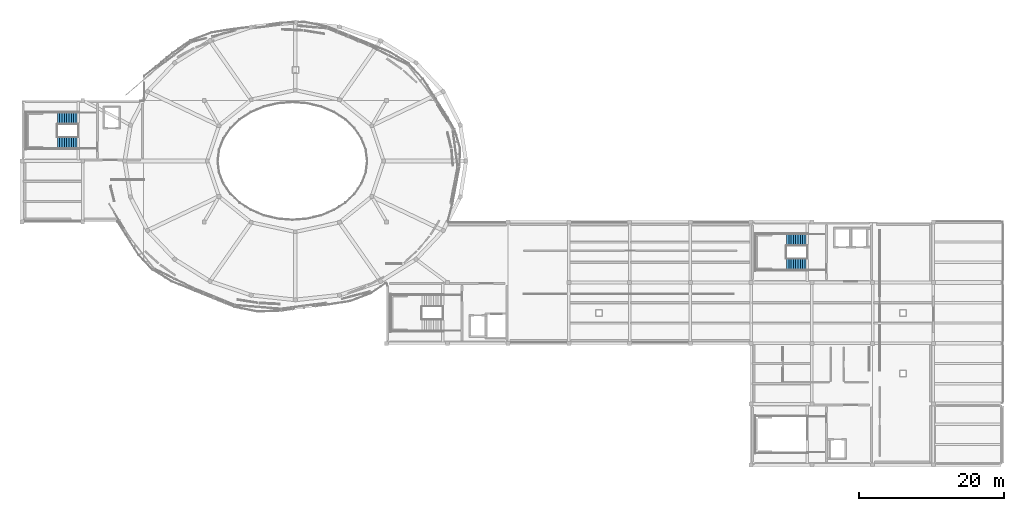
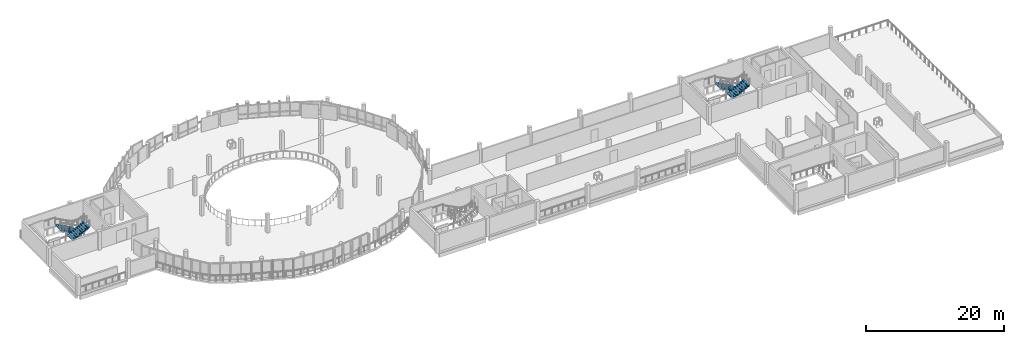
# One storey, part 34 of 43: 4 stair flights, 2 elements without a shape of their own.
"""IFC4 building model written with IfcOpenShell, lengths in metres."""

from ifc_helpers import new_model, si_unit, derived_unit, direction, frame, origin, place, context, subcontext, project, spatial, polyline, outline, extrude, material, type_object, element, aggregate, save


model = new_model("IFC4")

# Units and contexts
model_context = context("Model", 3, precision=1e-05, world=origin(), true_north=direction((0.0, 1.0)))
body_context = subcontext(model_context, "Body", "Model", "MODEL_VIEW")
ifc_project = project(units=[si_unit("LENGTHUNIT", "METRE"), si_unit("AREAUNIT", "SQUARE_METRE"), si_unit("VOLUMEUNIT", "CUBIC_METRE"), si_unit("PLANEANGLEUNIT", "RADIAN"), si_unit("MASSUNIT", "GRAM", prefix="KILO"), derived_unit("THERMALTRANSMITTANCEUNIT", [(si_unit("POWERUNIT", "WATT"), 1), (si_unit("LENGTHUNIT", "METRE"), -2), (si_unit("THERMODYNAMICTEMPERATUREUNIT", "KELVIN"), -1)])], contexts=[model_context])

# Site, building, storey
site_placement = place(None, origin())
site = spatial("IfcSite", under=ifc_project, at=site_placement, CompositionType="ELEMENT")
building_placement = place(site_placement, origin())
building = spatial("IfcBuilding", under=site, at=building_placement, Name="Elbkamm Science Centre", CompositionType="ELEMENT")
storey_placement = place(building_placement, frame((0.0, 0.0, 18.300048828125)))
storey = spatial("IfcBuildingStorey", under=building, at=storey_placement, Name="L04", CompositionType="ELEMENT", Elevation=18.300048828125)

# Stair, stair flights
ifc_material = material(Name="Reinforced concrete C40/50", Category="concrete")
stair_type = type_object("IfcStairType", Name="ST-TWO-20R-165", PredefinedType="USERDEFINED", material=ifc_material)
stair_1_placement = place(storey_placement, origin())
stair_1 = element("IfcStair", 1, at=stair_1_placement, inside=storey, type_object=stair_type, Name="L04 Core C1 Northwest Planetarium and Exhibition Core Escape Stair", ObjectType="TWO_RETURN_STAIR", PredefinedType="USERDEFINED")
stair_flight_type = type_object("IfcStairFlightType", Name="FLT-10R-165MM-165", PredefinedType="STRAIGHT", material=ifc_material)
stair_flight_1_placement = place(storey_placement, frame((32.97998046875, 73.094970703125, 0.0), z_axis=(0.0, 0.0, 1.0), x_axis=(-1.0, 0.0, 0.0)))
stair_flight_1 = element("IfcStairFlight", 2, at=stair_flight_1_placement, type_object=stair_flight_type, Name="ST-C1 flight 1", NumberOfRisers=10, NumberOfTreads=9, PredefinedType="STRAIGHT", RiserHeight=0.165, TreadLength=0.32, context=body_context, shape_type="SweptSolid", body=[
    extrude(outline(polyline([(0.0, 0.0), (0.0, 0.1650390625), (0.320068359375, 0.1650390625), (0.320068359375, 0.330078125), (0.639892578125, 0.330078125), (0.639892578125, 0.4951171875), (0.9599609375, 0.4951171875), (0.9599609375, 0.659912109375), (1.280029296875, 0.659912109375), (1.280029296875, 0.824951171875), (1.60009765625, 0.824951171875), (1.60009765625, 0.989990234375), (1.919921875, 0.989990234375), (1.919921875, 1.155029296875), (2.239990234375, 1.155029296875), (2.239990234375, 1.320068359375), (2.56005859375, 1.320068359375), (2.56005859375, 1.485107421875), (2.8798828125, 1.485107421875), (2.8798828125, 1.64990234375), (2.8798828125, 1.30517578125), (0.348876953125, 0.0), (0.0, 0.0)])), frame((0.0, 0.824951171875, 0.0), z_axis=(0.0, -1.0, 0.0), x_axis=(1.0, 0.0, 0.0)), (0.0, 0.0, 1.0), 1.64990234375),
])
stair_flight_2_placement = place(storey_placement, frame((30.10009765625, 69.705078125, 1.64990234375), z_axis=(0.0, 0.0, 1.0), x_axis=(1.0, 0.0, 0.0)))
stair_flight_2 = element("IfcStairFlight", 3, at=stair_flight_2_placement, type_object=stair_flight_type, Name="ST-C1 flight 2", NumberOfRisers=10, NumberOfTreads=9, PredefinedType="STRAIGHT", RiserHeight=0.165, TreadLength=0.32, context=body_context, shape_type="SweptSolid", body=[
    extrude(outline(polyline([(0.0, 0.0), (0.0, 0.1650390625), (0.320068359375, 0.1650390625), (0.320068359375, 0.330078125), (0.639892578125, 0.330078125), (0.639892578125, 0.4951171875), (0.9599609375, 0.4951171875), (0.9599609375, 0.659912109375), (1.280029296875, 0.659912109375), (1.280029296875, 0.824951171875), (1.60009765625, 0.824951171875), (1.60009765625, 0.989990234375), (1.919921875, 0.989990234375), (1.919921875, 1.155029296875), (2.239990234375, 1.155029296875), (2.239990234375, 1.320068359375), (2.56005859375, 1.320068359375), (2.56005859375, 1.485107421875), (2.8798828125, 1.485107421875), (2.8798828125, 1.64990234375), (2.8798828125, 1.30517578125), (0.348876953125, 0.0), (0.0, 0.0)])), frame((0.0, 0.824951171875, 0.0), z_axis=(0.0, -1.0, 0.0), x_axis=(1.0, 0.0, 0.0)), (0.0, 0.0, 1.0), 1.64990234375),
])
aggregate(stair_1, [stair_flight_1, stair_flight_2])

stair_2_placement = place(storey_placement, origin())
stair_2 = element("IfcStair", 4, at=stair_2_placement, inside=storey, type_object=stair_type, Name="L04 Core C3 Northeast Laboratories and Observatory Core Escape Stair", ObjectType="TWO_RETURN_STAIR", PredefinedType="USERDEFINED")
stair_flight_3_placement = place(storey_placement, frame((133.780029296875, 56.294921875, 0.0), z_axis=(0.0, 0.0, 1.0), x_axis=(-1.0, 0.0, 0.0)))
stair_flight_3 = element("IfcStairFlight", 5, at=stair_flight_3_placement, type_object=stair_flight_type, Name="ST-C3 flight 1", NumberOfRisers=10, NumberOfTreads=9, PredefinedType="STRAIGHT", RiserHeight=0.165, TreadLength=0.32, context=body_context, shape_type="SweptSolid", body=[
    extrude(outline(polyline([(0.0, 0.0), (0.0, 0.1650390625), (0.320068359375, 0.1650390625), (0.320068359375, 0.330078125), (0.639892578125, 0.330078125), (0.639892578125, 0.4951171875), (0.9599609375, 0.4951171875), (0.9599609375, 0.659912109375), (1.280029296875, 0.659912109375), (1.280029296875, 0.824951171875), (1.60009765625, 0.824951171875), (1.60009765625, 0.989990234375), (1.919921875, 0.989990234375), (1.919921875, 1.155029296875), (2.239990234375, 1.155029296875), (2.239990234375, 1.320068359375), (2.56005859375, 1.320068359375), (2.56005859375, 1.485107421875), (2.8798828125, 1.485107421875), (2.8798828125, 1.64990234375), (2.8798828125, 1.30517578125), (0.348876953125, 0.0), (0.0, 0.0)])), frame((0.0, 0.824951171875, 0.0), z_axis=(0.0, -1.0, 0.0), x_axis=(1.0, 0.0, 0.0)), (0.0, 0.0, 1.0), 1.64990234375),
])
stair_flight_4_placement = place(storey_placement, frame((130.89990234375, 52.905029296875, 1.64990234375), z_axis=(0.0, 0.0, 1.0), x_axis=(1.0, 0.0, 0.0)))
stair_flight_4 = element("IfcStairFlight", 6, at=stair_flight_4_placement, type_object=stair_flight_type, Name="ST-C3 flight 2", NumberOfRisers=10, NumberOfTreads=9, PredefinedType="STRAIGHT", RiserHeight=0.165, TreadLength=0.32, context=body_context, shape_type="SweptSolid", body=[
    extrude(outline(polyline([(0.0, 0.0), (0.0, 0.1650390625), (0.320068359375, 0.1650390625), (0.320068359375, 0.330078125), (0.639892578125, 0.330078125), (0.639892578125, 0.4951171875), (0.9599609375, 0.4951171875), (0.9599609375, 0.659912109375), (1.280029296875, 0.659912109375), (1.280029296875, 0.824951171875), (1.60009765625, 0.824951171875), (1.60009765625, 0.989990234375), (1.919921875, 0.989990234375), (1.919921875, 1.155029296875), (2.239990234375, 1.155029296875), (2.239990234375, 1.320068359375), (2.56005859375, 1.320068359375), (2.56005859375, 1.485107421875), (2.8798828125, 1.485107421875), (2.8798828125, 1.64990234375), (2.8798828125, 1.30517578125), (0.348876953125, 0.0), (0.0, 0.0)])), frame((0.0, 0.824951171875, 0.0), z_axis=(0.0, -1.0, 0.0), x_axis=(1.0, 0.0, 0.0)), (0.0, 0.0, 1.0), 1.64990234375),
])
aggregate(stair_2, [stair_flight_3, stair_flight_4])

save(model, "model.ifc")
